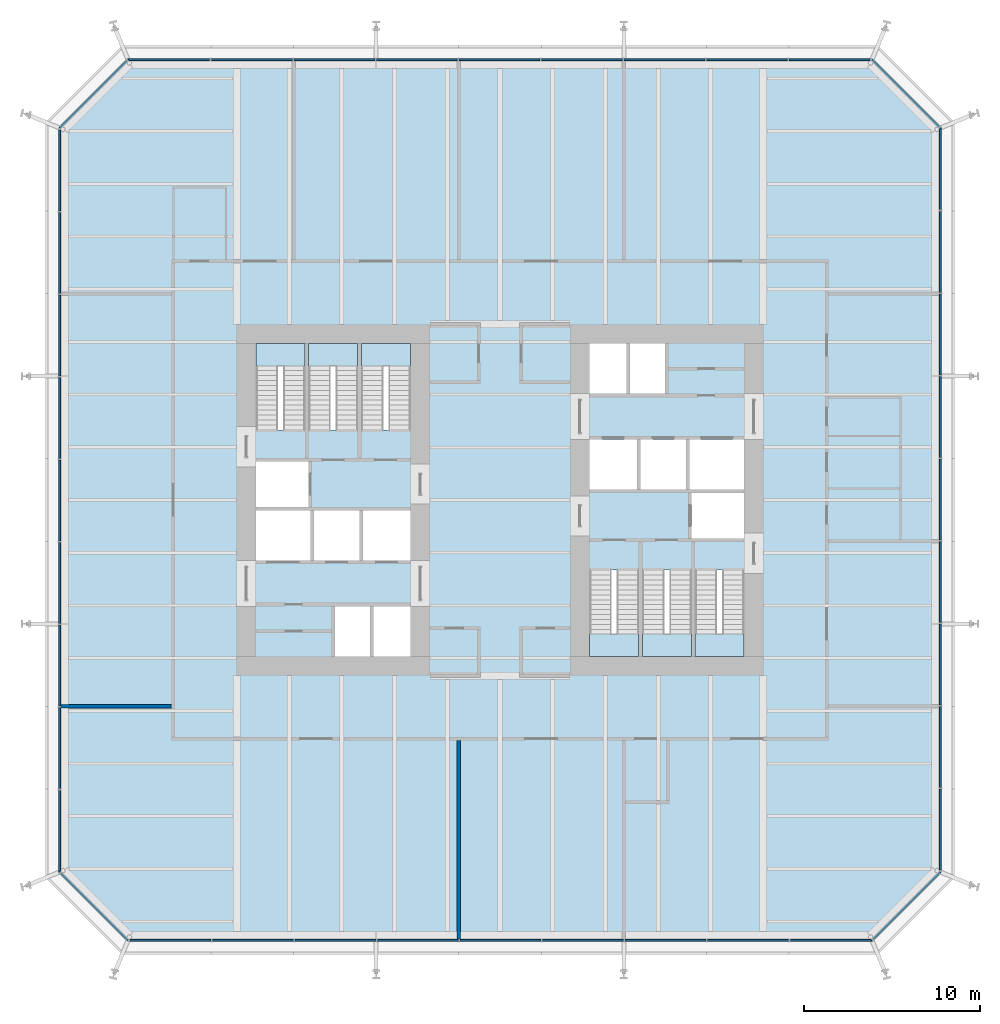
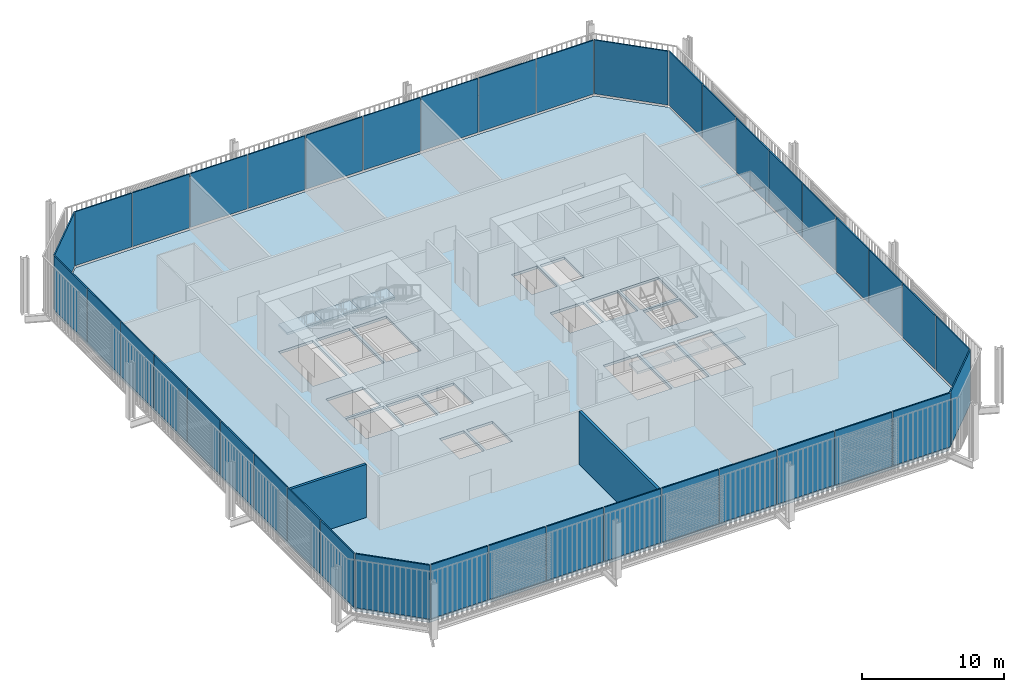
# One storey, part 17 of 22: 40 plates, 7 slabs, 2 walls, 14 elements without a shape of their own.
"""IFC4 building model written with IfcOpenShell, lengths in metres."""

from ifc_helpers import new_model, si_unit, direction, frame, frame_2d, origin, place, context, subcontext, project, spatial, polyline, rectangle, outline, extrude, material, layer, layer_set, type_object, element, aggregate, save


model = new_model("IFC4")

# Units and contexts
model_context = context("Model", 3, precision=1e-05, world=origin(), true_north=direction((0.0, 1.0)))
body_context = subcontext(model_context, "Body", "Model", "MODEL_VIEW")
ifc_project = project(units=[si_unit("LENGTHUNIT", "METRE"), si_unit("AREAUNIT", "SQUARE_METRE"), si_unit("VOLUMEUNIT", "CUBIC_METRE"), si_unit("PLANEANGLEUNIT", "RADIAN"), si_unit("MASSUNIT", "GRAM", prefix="KILO")], contexts=[model_context])

# Site, building, storey
site_placement = place(None, origin())
site = spatial("IfcSite", under=ifc_project, at=site_placement, CompositionType="ELEMENT")
building_placement = place(site_placement, origin())
building = spatial("IfcBuilding", under=site, at=building_placement, Name="Millrace Tower", CompositionType="ELEMENT")
storey_placement = place(building_placement, frame((0.0, 0.0, 40.10009765625)))
storey = spatial("IfcBuildingStorey", under=building, at=storey_placement, Name="L09", CompositionType="ELEMENT", Elevation=40.10009765625)

# Curtain wall, plate
ifc_material_1 = material(Name="Aluminium and glass", Category="aluminium")
ifc_layer_1 = layer(ifc_material_1, 0.14990234375)
ifc_layer_set_1 = layer_set([ifc_layer_1], Name="Aluminium and glass")
curtain_wall_type = type_object("IfcCurtainWallType", Name="CW-2 data hall insulated curtain wall", PredefinedType="NOTDEFINED", material=ifc_layer_set_1)
placement_1 = place(storey_placement, origin())
curtain_wall_1 = element("IfcCurtainWall", 1, at=placement_1, inside=storey, type_object=curtain_wall_type, Name="Curtain wall A-F01 L09", PredefinedType="NOTDEFINED")
ifc_material_2 = material(Name="Glass", Category="glass")
ifc_layer_2 = layer(ifc_material_2, 0.10009765625)
ifc_layer_set_2 = layer_set([ifc_layer_2], Name="Glass")
plate_type = type_object("IfcPlateType", Name="CW-2 data hall insulated curtain wall insulated cassette with vision slot", PredefinedType="CURTAIN_PANEL", material=ifc_layer_set_2)
placement_2 = place(storey_placement, frame((0.0, 0.0, 0.159912109375)))
plate_1 = element("IfcPlate", 2, at=placement_2, type_object=plate_type, Name="CW2 panel A-F01.1", PredefinedType="CURTAIN_PANEL", context=body_context, shape_type="SweptSolid", body=[
    extrude(outline(polyline([(-25.04248046875, -21.284423828125), (-21.20166015625, -25.125), (-21.160400390625, -25.02490234375), (-24.9716796875, -21.213623046875), (-25.04248046875, -21.284423828125)])), origin(), (0.0, 0.0, 1.0), 4.639892578125),
])
aggregate(curtain_wall_1, [plate_1])

# Curtain wall, plates
curtain_wall_2 = element("IfcCurtainWall", 3, at=placement_1, inside=storey, type_object=curtain_wall_type, Name="Curtain wall A-F02 L09", PredefinedType="NOTDEFINED")
plate_2 = element("IfcPlate", 4, at=placement_2, type_object=plate_type, Name="CW2 panel A-F02.1", PredefinedType="CURTAIN_PANEL", context=body_context, shape_type="SweptSolid", body=[
    extrude(outline(polyline([(-21.0849609375, -25.125), (-16.449951171875, -25.125), (-16.449951171875, -25.02490234375), (-21.0849609375, -25.02490234375), (-21.0849609375, -25.125)])), origin(), (0.0, 0.0, 1.0), 4.639892578125),
])
plate_3 = element("IfcPlate", 5, at=placement_2, type_object=plate_type, Name="CW2 panel A-F02.2", PredefinedType="CURTAIN_PANEL", context=body_context, shape_type="SweptSolid", body=[
    extrude(outline(polyline([(-16.385009765625, -25.125), (-11.75, -25.125), (-11.75, -25.02490234375), (-16.385009765625, -25.02490234375), (-16.385009765625, -25.125)])), origin(), (0.0, 0.0, 1.0), 4.639892578125),
])
plate_4 = element("IfcPlate", 6, at=placement_2, type_object=plate_type, Name="CW2 panel A-F02.3", PredefinedType="CURTAIN_PANEL", context=body_context, shape_type="SweptSolid", body=[
    extrude(outline(polyline([(-11.68505859375, -25.125), (-7.050048828125, -25.125), (-7.050048828125, -25.02490234375), (-11.68505859375, -25.02490234375), (-11.68505859375, -25.125)])), origin(), (0.0, 0.0, 1.0), 4.639892578125),
])
plate_5 = element("IfcPlate", 7, at=placement_2, type_object=plate_type, Name="CW2 panel A-F02.4", PredefinedType="CURTAIN_PANEL", context=body_context, shape_type="SweptSolid", body=[
    extrude(outline(polyline([(-6.985107421875, -25.125), (-2.35009765625, -25.125), (-2.35009765625, -25.02490234375), (-6.985107421875, -25.02490234375), (-6.985107421875, -25.125)])), origin(), (0.0, 0.0, 1.0), 4.639892578125),
])
plate_6 = element("IfcPlate", 8, at=placement_2, type_object=plate_type, Name="CW2 panel A-F02.5", PredefinedType="CURTAIN_PANEL", context=body_context, shape_type="SweptSolid", body=[
    extrude(outline(polyline([(-2.284912109375, -25.125), (2.35009765625, -25.125), (2.35009765625, -25.02490234375), (-2.284912109375, -25.02490234375), (-2.284912109375, -25.125)])), origin(), (0.0, 0.0, 1.0), 4.639892578125),
])
plate_7 = element("IfcPlate", 9, at=placement_2, type_object=plate_type, Name="CW2 panel A-F02.6", PredefinedType="CURTAIN_PANEL", context=body_context, shape_type="SweptSolid", body=[
    extrude(outline(polyline([(2.4150390625, -25.125), (7.050048828125, -25.125), (7.050048828125, -25.02490234375), (2.4150390625, -25.02490234375), (2.4150390625, -25.125)])), origin(), (0.0, 0.0, 1.0), 4.639892578125),
])
plate_8 = element("IfcPlate", 10, at=placement_2, type_object=plate_type, Name="CW2 panel A-F02.7", PredefinedType="CURTAIN_PANEL", context=body_context, shape_type="SweptSolid", body=[
    extrude(outline(polyline([(7.114990234375, -25.125), (11.75, -25.125), (11.75, -25.02490234375), (7.114990234375, -25.02490234375), (7.114990234375, -25.125)])), origin(), (0.0, 0.0, 1.0), 4.639892578125),
])
plate_9 = element("IfcPlate", 11, at=placement_2, type_object=plate_type, Name="CW2 panel A-F02.8", PredefinedType="CURTAIN_PANEL", context=body_context, shape_type="SweptSolid", body=[
    extrude(outline(polyline([(11.81494140625, -25.125), (16.449951171875, -25.125), (16.449951171875, -25.02490234375), (11.81494140625, -25.02490234375), (11.81494140625, -25.125)])), origin(), (0.0, 0.0, 1.0), 4.639892578125),
])
plate_10 = element("IfcPlate", 12, at=placement_2, type_object=plate_type, Name="CW2 panel A-F02.9", PredefinedType="CURTAIN_PANEL", context=body_context, shape_type="SweptSolid", body=[
    extrude(outline(polyline([(16.514892578125, -25.125), (21.20166015625, -25.125), (21.160400390625, -25.02490234375), (16.514892578125, -25.02490234375), (16.514892578125, -25.125)])), origin(), (0.0, 0.0, 1.0), 4.639892578125),
])
aggregate(curtain_wall_2, [plate_2, plate_3, plate_4, plate_5, plate_6, plate_7, plate_8, plate_9, plate_10])

# Curtain wall, plate
curtain_wall_3 = element("IfcCurtainWall", 13, at=placement_1, inside=storey, type_object=curtain_wall_type, Name="Curtain wall A-F03 L09", PredefinedType="NOTDEFINED")
plate_11 = element("IfcPlate", 14, at=placement_2, type_object=plate_type, Name="CW2 panel A-F03.1", PredefinedType="CURTAIN_PANEL", context=body_context, shape_type="SweptSolid", body=[
    extrude(outline(polyline([(21.284423828125, -25.04248046875), (25.125, -21.20166015625), (25.02490234375, -21.160400390625), (21.213623046875, -24.9716796875), (21.284423828125, -25.04248046875)])), origin(), (0.0, 0.0, 1.0), 4.639892578125),
])
aggregate(curtain_wall_3, [plate_11])

# Curtain wall, plates
curtain_wall_4 = element("IfcCurtainWall", 15, at=placement_1, inside=storey, type_object=curtain_wall_type, Name="Curtain wall A-F04 L09", PredefinedType="NOTDEFINED")
plate_12 = element("IfcPlate", 16, at=placement_2, type_object=plate_type, Name="CW2 panel A-F04.1", PredefinedType="CURTAIN_PANEL", context=body_context, shape_type="SweptSolid", body=[
    extrude(outline(polyline([(25.125, -21.0849609375), (25.125, -16.449951171875), (25.02490234375, -16.449951171875), (25.02490234375, -21.0849609375), (25.125, -21.0849609375)])), origin(), (0.0, 0.0, 1.0), 4.639892578125),
])
plate_13 = element("IfcPlate", 17, at=placement_2, type_object=plate_type, Name="CW2 panel A-F04.2", PredefinedType="CURTAIN_PANEL", context=body_context, shape_type="SweptSolid", body=[
    extrude(outline(polyline([(25.125, -16.385009765625), (25.125, -11.75), (25.02490234375, -11.75), (25.02490234375, -16.385009765625), (25.125, -16.385009765625)])), origin(), (0.0, 0.0, 1.0), 4.639892578125),
])
plate_14 = element("IfcPlate", 18, at=placement_2, type_object=plate_type, Name="CW2 panel A-F04.3", PredefinedType="CURTAIN_PANEL", context=body_context, shape_type="SweptSolid", body=[
    extrude(outline(polyline([(25.125, -11.68505859375), (25.125, -7.050048828125), (25.02490234375, -7.050048828125), (25.02490234375, -11.68505859375), (25.125, -11.68505859375)])), origin(), (0.0, 0.0, 1.0), 4.639892578125),
])
plate_15 = element("IfcPlate", 19, at=placement_2, type_object=plate_type, Name="CW2 panel A-F04.4", PredefinedType="CURTAIN_PANEL", context=body_context, shape_type="SweptSolid", body=[
    extrude(outline(polyline([(25.125, -6.985107421875), (25.125, -2.35009765625), (25.02490234375, -2.35009765625), (25.02490234375, -6.985107421875), (25.125, -6.985107421875)])), origin(), (0.0, 0.0, 1.0), 4.639892578125),
])
plate_16 = element("IfcPlate", 20, at=placement_2, type_object=plate_type, Name="CW2 panel A-F04.5", PredefinedType="CURTAIN_PANEL", context=body_context, shape_type="SweptSolid", body=[
    extrude(outline(polyline([(25.125, -2.284912109375), (25.125, 2.35009765625), (25.02490234375, 2.35009765625), (25.02490234375, -2.284912109375), (25.125, -2.284912109375)])), origin(), (0.0, 0.0, 1.0), 4.639892578125),
])
plate_17 = element("IfcPlate", 21, at=placement_2, type_object=plate_type, Name="CW2 panel A-F04.6", PredefinedType="CURTAIN_PANEL", context=body_context, shape_type="SweptSolid", body=[
    extrude(outline(polyline([(25.125, 2.4150390625), (25.125, 7.050048828125), (25.02490234375, 7.050048828125), (25.02490234375, 2.4150390625), (25.125, 2.4150390625)])), origin(), (0.0, 0.0, 1.0), 4.639892578125),
])
plate_18 = element("IfcPlate", 22, at=placement_2, type_object=plate_type, Name="CW2 panel A-F04.7", PredefinedType="CURTAIN_PANEL", context=body_context, shape_type="SweptSolid", body=[
    extrude(outline(polyline([(25.125, 7.114990234375), (25.125, 11.75), (25.02490234375, 11.75), (25.02490234375, 7.114990234375), (25.125, 7.114990234375)])), origin(), (0.0, 0.0, 1.0), 4.639892578125),
])
plate_19 = element("IfcPlate", 23, at=placement_2, type_object=plate_type, Name="CW2 panel A-F04.8", PredefinedType="CURTAIN_PANEL", context=body_context, shape_type="SweptSolid", body=[
    extrude(outline(polyline([(25.125, 11.81494140625), (25.125, 16.449951171875), (25.02490234375, 16.449951171875), (25.02490234375, 11.81494140625), (25.125, 11.81494140625)])), origin(), (0.0, 0.0, 1.0), 4.639892578125),
])
plate_20 = element("IfcPlate", 24, at=placement_2, type_object=plate_type, Name="CW2 panel A-F04.9", PredefinedType="CURTAIN_PANEL", context=body_context, shape_type="SweptSolid", body=[
    extrude(outline(polyline([(25.125, 16.514892578125), (25.125, 21.20166015625), (25.02490234375, 21.160400390625), (25.02490234375, 16.514892578125), (25.125, 16.514892578125)])), origin(), (0.0, 0.0, 1.0), 4.639892578125),
])
aggregate(curtain_wall_4, [plate_12, plate_13, plate_14, plate_15, plate_16, plate_17, plate_18, plate_19, plate_20])

# Curtain wall, plate
curtain_wall_5 = element("IfcCurtainWall", 25, at=placement_1, inside=storey, type_object=curtain_wall_type, Name="Curtain wall A-F05 L09", PredefinedType="NOTDEFINED")
plate_21 = element("IfcPlate", 26, at=placement_2, type_object=plate_type, Name="CW2 panel A-F05.1", PredefinedType="CURTAIN_PANEL", context=body_context, shape_type="SweptSolid", body=[
    extrude(outline(polyline([(25.04248046875, 21.284423828125), (21.20166015625, 25.125), (21.160400390625, 25.02490234375), (24.9716796875, 21.213623046875), (25.04248046875, 21.284423828125)])), origin(), (0.0, 0.0, 1.0), 4.639892578125),
])
aggregate(curtain_wall_5, [plate_21])

# Curtain wall, plates
curtain_wall_6 = element("IfcCurtainWall", 27, at=placement_1, inside=storey, type_object=curtain_wall_type, Name="Curtain wall A-F06 L09", PredefinedType="NOTDEFINED")
plate_22 = element("IfcPlate", 28, at=placement_2, type_object=plate_type, Name="CW2 panel A-F06.1", PredefinedType="CURTAIN_PANEL", context=body_context, shape_type="SweptSolid", body=[
    extrude(outline(polyline([(21.0849609375, 25.125), (16.449951171875, 25.125), (16.449951171875, 25.02490234375), (21.0849609375, 25.02490234375), (21.0849609375, 25.125)])), origin(), (0.0, 0.0, 1.0), 4.639892578125),
])
plate_23 = element("IfcPlate", 29, at=placement_2, type_object=plate_type, Name="CW2 panel A-F06.2", PredefinedType="CURTAIN_PANEL", context=body_context, shape_type="SweptSolid", body=[
    extrude(outline(polyline([(16.385009765625, 25.125), (11.75, 25.125), (11.75, 25.02490234375), (16.385009765625, 25.02490234375), (16.385009765625, 25.125)])), origin(), (0.0, 0.0, 1.0), 4.639892578125),
])
plate_24 = element("IfcPlate", 30, at=placement_2, type_object=plate_type, Name="CW2 panel A-F06.3", PredefinedType="CURTAIN_PANEL", context=body_context, shape_type="SweptSolid", body=[
    extrude(outline(polyline([(11.68505859375, 25.125), (7.050048828125, 25.125), (7.050048828125, 25.02490234375), (11.68505859375, 25.02490234375), (11.68505859375, 25.125)])), origin(), (0.0, 0.0, 1.0), 4.639892578125),
])
plate_25 = element("IfcPlate", 31, at=placement_2, type_object=plate_type, Name="CW2 panel A-F06.4", PredefinedType="CURTAIN_PANEL", context=body_context, shape_type="SweptSolid", body=[
    extrude(outline(polyline([(6.985107421875, 25.125), (2.35009765625, 25.125), (2.35009765625, 25.02490234375), (6.985107421875, 25.02490234375), (6.985107421875, 25.125)])), origin(), (0.0, 0.0, 1.0), 4.639892578125),
])
plate_26 = element("IfcPlate", 32, at=placement_2, type_object=plate_type, Name="CW2 panel A-F06.5", PredefinedType="CURTAIN_PANEL", context=body_context, shape_type="SweptSolid", body=[
    extrude(outline(polyline([(2.284912109375, 25.125), (-2.35009765625, 25.125), (-2.35009765625, 25.02490234375), (2.284912109375, 25.02490234375), (2.284912109375, 25.125)])), origin(), (0.0, 0.0, 1.0), 4.639892578125),
])
plate_27 = element("IfcPlate", 33, at=placement_2, type_object=plate_type, Name="CW2 panel A-F06.6", PredefinedType="CURTAIN_PANEL", context=body_context, shape_type="SweptSolid", body=[
    extrude(outline(polyline([(-2.4150390625, 25.125), (-7.050048828125, 25.125), (-7.050048828125, 25.02490234375), (-2.4150390625, 25.02490234375), (-2.4150390625, 25.125)])), origin(), (0.0, 0.0, 1.0), 4.639892578125),
])
plate_28 = element("IfcPlate", 34, at=placement_2, type_object=plate_type, Name="CW2 panel A-F06.7", PredefinedType="CURTAIN_PANEL", context=body_context, shape_type="SweptSolid", body=[
    extrude(outline(polyline([(-7.114990234375, 25.125), (-11.75, 25.125), (-11.75, 25.02490234375), (-7.114990234375, 25.02490234375), (-7.114990234375, 25.125)])), origin(), (0.0, 0.0, 1.0), 4.639892578125),
])
plate_29 = element("IfcPlate", 35, at=placement_2, type_object=plate_type, Name="CW2 panel A-F06.8", PredefinedType="CURTAIN_PANEL", context=body_context, shape_type="SweptSolid", body=[
    extrude(outline(polyline([(-11.81494140625, 25.125), (-16.449951171875, 25.125), (-16.449951171875, 25.02490234375), (-11.81494140625, 25.02490234375), (-11.81494140625, 25.125)])), origin(), (0.0, 0.0, 1.0), 4.639892578125),
])
plate_30 = element("IfcPlate", 36, at=placement_2, type_object=plate_type, Name="CW2 panel A-F06.9", PredefinedType="CURTAIN_PANEL", context=body_context, shape_type="SweptSolid", body=[
    extrude(outline(polyline([(-16.514892578125, 25.125), (-21.20166015625, 25.125), (-21.160400390625, 25.02490234375), (-16.514892578125, 25.02490234375), (-16.514892578125, 25.125)])), origin(), (0.0, 0.0, 1.0), 4.639892578125),
])
aggregate(curtain_wall_6, [plate_22, plate_23, plate_24, plate_25, plate_26, plate_27, plate_28, plate_29, plate_30])

# Curtain wall, plate
curtain_wall_7 = element("IfcCurtainWall", 37, at=placement_1, inside=storey, type_object=curtain_wall_type, Name="Curtain wall A-F07 L09", PredefinedType="NOTDEFINED")
plate_31 = element("IfcPlate", 38, at=placement_2, type_object=plate_type, Name="CW2 panel A-F07.1", PredefinedType="CURTAIN_PANEL", context=body_context, shape_type="SweptSolid", body=[
    extrude(outline(polyline([(-21.284423828125, 25.04248046875), (-25.125, 21.20166015625), (-25.02490234375, 21.160400390625), (-21.213623046875, 24.9716796875), (-21.284423828125, 25.04248046875)])), origin(), (0.0, 0.0, 1.0), 4.639892578125),
])
aggregate(curtain_wall_7, [plate_31])

# Curtain wall, plates
curtain_wall_8 = element("IfcCurtainWall", 39, at=placement_1, inside=storey, type_object=curtain_wall_type, Name="Curtain wall A-F08 L09", PredefinedType="NOTDEFINED")
plate_32 = element("IfcPlate", 40, at=placement_2, type_object=plate_type, Name="CW2 panel A-F08.1", PredefinedType="CURTAIN_PANEL", context=body_context, shape_type="SweptSolid", body=[
    extrude(outline(polyline([(-25.125, 21.0849609375), (-25.125, 16.449951171875), (-25.02490234375, 16.449951171875), (-25.02490234375, 21.0849609375), (-25.125, 21.0849609375)])), origin(), (0.0, 0.0, 1.0), 4.639892578125),
])
plate_33 = element("IfcPlate", 41, at=placement_2, type_object=plate_type, Name="CW2 panel A-F08.2", PredefinedType="CURTAIN_PANEL", context=body_context, shape_type="SweptSolid", body=[
    extrude(outline(polyline([(-25.125, 16.385009765625), (-25.125, 11.75), (-25.02490234375, 11.75), (-25.02490234375, 16.385009765625), (-25.125, 16.385009765625)])), origin(), (0.0, 0.0, 1.0), 4.639892578125),
])
plate_34 = element("IfcPlate", 42, at=placement_2, type_object=plate_type, Name="CW2 panel A-F08.3", PredefinedType="CURTAIN_PANEL", context=body_context, shape_type="SweptSolid", body=[
    extrude(outline(polyline([(-25.125, 11.68505859375), (-25.125, 7.050048828125), (-25.02490234375, 7.050048828125), (-25.02490234375, 11.68505859375), (-25.125, 11.68505859375)])), origin(), (0.0, 0.0, 1.0), 4.639892578125),
])
plate_35 = element("IfcPlate", 43, at=placement_2, type_object=plate_type, Name="CW2 panel A-F08.4", PredefinedType="CURTAIN_PANEL", context=body_context, shape_type="SweptSolid", body=[
    extrude(outline(polyline([(-25.125, 6.985107421875), (-25.125, 2.35009765625), (-25.02490234375, 2.35009765625), (-25.02490234375, 6.985107421875), (-25.125, 6.985107421875)])), origin(), (0.0, 0.0, 1.0), 4.639892578125),
])
plate_36 = element("IfcPlate", 44, at=placement_2, type_object=plate_type, Name="CW2 panel A-F08.5", PredefinedType="CURTAIN_PANEL", context=body_context, shape_type="SweptSolid", body=[
    extrude(outline(polyline([(-25.125, 2.284912109375), (-25.125, -2.35009765625), (-25.02490234375, -2.35009765625), (-25.02490234375, 2.284912109375), (-25.125, 2.284912109375)])), origin(), (0.0, 0.0, 1.0), 4.639892578125),
])
plate_37 = element("IfcPlate", 45, at=placement_2, type_object=plate_type, Name="CW2 panel A-F08.6", PredefinedType="CURTAIN_PANEL", context=body_context, shape_type="SweptSolid", body=[
    extrude(outline(polyline([(-25.125, -2.4150390625), (-25.125, -7.050048828125), (-25.02490234375, -7.050048828125), (-25.02490234375, -2.4150390625), (-25.125, -2.4150390625)])), origin(), (0.0, 0.0, 1.0), 4.639892578125),
])
plate_38 = element("IfcPlate", 46, at=placement_2, type_object=plate_type, Name="CW2 panel A-F08.7", PredefinedType="CURTAIN_PANEL", context=body_context, shape_type="SweptSolid", body=[
    extrude(outline(polyline([(-25.125, -7.114990234375), (-25.125, -11.75), (-25.02490234375, -11.75), (-25.02490234375, -7.114990234375), (-25.125, -7.114990234375)])), origin(), (0.0, 0.0, 1.0), 4.639892578125),
])
plate_39 = element("IfcPlate", 47, at=placement_2, type_object=plate_type, Name="CW2 panel A-F08.8", PredefinedType="CURTAIN_PANEL", context=body_context, shape_type="SweptSolid", body=[
    extrude(outline(polyline([(-25.125, -11.81494140625), (-25.125, -16.449951171875), (-25.02490234375, -16.449951171875), (-25.02490234375, -11.81494140625), (-25.125, -11.81494140625)])), origin(), (0.0, 0.0, 1.0), 4.639892578125),
])
plate_40 = element("IfcPlate", 48, at=placement_2, type_object=plate_type, Name="CW2 panel A-F08.9", PredefinedType="CURTAIN_PANEL", context=body_context, shape_type="SweptSolid", body=[
    extrude(outline(polyline([(-25.125, -16.514892578125), (-25.125, -21.20166015625), (-25.02490234375, -21.160400390625), (-25.02490234375, -16.514892578125), (-25.125, -16.514892578125)])), origin(), (0.0, 0.0, 1.0), 4.639892578125),
])
aggregate(curtain_wall_8, [plate_32, plate_33, plate_34, plate_35, plate_36, plate_37, plate_38, plate_39, plate_40])

# Slab
ifc_material_3 = material(Name="Concrete C35 on steel deck", Category="concrete")
ifc_layer_3 = layer(ifc_material_3, 0.22509765625)
ifc_layer_set_3 = layer_set([ifc_layer_3], Name="Concrete C35 on steel deck")
slab_type_1 = type_object("IfcSlabType", Name="Composite floor slab 225 mm", PredefinedType="FLOOR", material=ifc_layer_set_3)
slab_1_placement = place(storey_placement, frame((0.0, 0.0, -0.22509765625)))
element("IfcSlab", 49, at=slab_1_placement, inside=storey, type_object=slab_type_1, Name="SL-A-L09-S1", PredefinedType="FLOOR", context=body_context, shape_type="SweptSolid", body=[
    extrude(outline(polyline([(-25.0, -21.14990234375), (-21.14990234375, -25.0), (21.14990234375, -25.0), (25.0, -21.14990234375), (25.0, 21.14990234375), (21.14990234375, 25.0), (-21.14990234375, 25.0), (-25.0, 21.14990234375), (-25.0, -21.14990234375)]), holes=[polyline([(-9.39990234375, -8.89990234375), (-7.39990234375, -8.89990234375), (-7.39990234375, -6.050048828125), (-9.39990234375, -6.050048828125), (-9.39990234375, -8.89990234375)]), polyline([(-7.199951171875, -8.89990234375), (-5.10009765625, -8.89990234375), (-5.10009765625, -6.050048828125), (-7.199951171875, -6.050048828125), (-7.199951171875, -8.89990234375)]), polyline([(-13.89990234375, -3.449951171875), (-10.800048828125, -3.449951171875), (-10.800048828125, -0.60009765625), (-13.89990234375, -0.60009765625), (-13.89990234375, -3.449951171875)]), polyline([(-10.60009765625, -3.449951171875), (-8.0, -3.449951171875), (-8.0, -0.60009765625), (-10.60009765625, -0.60009765625), (-10.60009765625, -3.449951171875)]), polyline([(-7.800048828125, -3.449951171875), (-5.10009765625, -3.449951171875), (-5.10009765625, -0.60009765625), (-7.800048828125, -0.60009765625), (-7.800048828125, -3.449951171875)]), polyline([(-13.89990234375, -0.39990234375), (-10.89990234375, -0.39990234375), (-10.89990234375, 2.179931640625), (-13.89990234375, 2.179931640625), (-13.89990234375, -0.39990234375)]), polyline([(-13.89990234375, 4.0), (-11.10009765625, 4.0), (-11.10009765625, 8.89990234375), (-13.89990234375, 8.89990234375), (-13.89990234375, 4.0)]), polyline([(-10.89990234375, 4.0), (-8.10009765625, 4.0), (-8.10009765625, 8.89990234375), (-10.89990234375, 8.89990234375), (-10.89990234375, 4.0)]), polyline([(-7.89990234375, 4.0), (-5.10009765625, 4.0), (-5.10009765625, 8.89990234375), (-7.89990234375, 8.89990234375), (-7.89990234375, 4.0)]), polyline([(7.39990234375, 6.050048828125), (9.39990234375, 6.050048828125), (9.39990234375, 8.89990234375), (7.39990234375, 8.89990234375), (7.39990234375, 6.050048828125)]), polyline([(5.10009765625, 6.050048828125), (7.199951171875, 6.050048828125), (7.199951171875, 8.89990234375), (5.10009765625, 8.89990234375), (5.10009765625, 6.050048828125)]), polyline([(10.800048828125, 0.60009765625), (13.89990234375, 0.60009765625), (13.89990234375, 3.449951171875), (10.800048828125, 3.449951171875), (10.800048828125, 0.60009765625)]), polyline([(8.0, 0.60009765625), (10.60009765625, 0.60009765625), (10.60009765625, 3.449951171875), (8.0, 3.449951171875), (8.0, 0.60009765625)]), polyline([(5.10009765625, 0.60009765625), (7.800048828125, 0.60009765625), (7.800048828125, 3.449951171875), (5.10009765625, 3.449951171875), (5.10009765625, 0.60009765625)]), polyline([(10.89990234375, -2.179931640625), (13.89990234375, -2.179931640625), (13.89990234375, 0.39990234375), (10.89990234375, 0.39990234375), (10.89990234375, -2.179931640625)]), polyline([(11.10009765625, -8.89990234375), (13.89990234375, -8.89990234375), (13.89990234375, -4.0), (11.10009765625, -4.0), (11.10009765625, -8.89990234375)]), polyline([(8.10009765625, -8.89990234375), (10.89990234375, -8.89990234375), (10.89990234375, -4.0), (8.10009765625, -4.0), (8.10009765625, -8.89990234375)]), polyline([(5.10009765625, -8.89990234375), (7.89990234375, -8.89990234375), (7.89990234375, -4.0), (5.10009765625, -4.0), (5.10009765625, -8.89990234375)])]), origin(), (0.0, 0.0, 1.0), 0.22509765625),
])

# Stair, slab
ifc_material_4 = material(Name="Concrete C35", Category="concrete")
stair_type = type_object("IfcStairType", Name="Exit stair", PredefinedType="HALF_TURN_STAIR", material=ifc_material_4)
stair_1 = element("IfcStair", 50, at=placement_1, inside=storey, type_object=stair_type, Name="Stair 1 W L09", PredefinedType="HALF_TURN_STAIR")
ifc_material_5 = material(Name="Concrete C40", Category="concrete")
ifc_layer_4 = layer(ifc_material_5, 0.199951171875)
ifc_layer_set_4 = layer_set([ifc_layer_4], Name="Concrete C40")
slab_type_2 = type_object("IfcSlabType", Name="Stair landing", PredefinedType="LANDING", material=ifc_layer_set_4)
placement_3 = place(storey_placement, frame((0.0, 0.0, 2.199951171875)))
slab_2 = element("IfcSlab", 51, at=placement_3, type_object=slab_type_2, Name="ST12 landing 1", PredefinedType="LANDING", context=body_context, shape_type="SweptSolid", body=[
    extrude(outline(polyline([(-13.89990234375, 7.639892578125), (-11.10009765625, 7.639892578125), (-11.10009765625, 8.89990234375), (-13.89990234375, 8.89990234375), (-13.89990234375, 7.639892578125)])), origin(), (0.0, 0.0, 1.0), 0.199951171875),
])
aggregate(stair_1, [slab_2])

stair_2 = element("IfcStair", 52, at=placement_1, inside=storey, type_object=stair_type, Name="Stair 2 W L09", PredefinedType="HALF_TURN_STAIR")
slab_3 = element("IfcSlab", 53, at=placement_3, type_object=slab_type_2, Name="ST12 landing 1", PredefinedType="LANDING", context=body_context, shape_type="SweptSolid", body=[
    extrude(outline(polyline([(-10.89990234375, 7.639892578125), (-8.10009765625, 7.639892578125), (-8.10009765625, 8.89990234375), (-10.89990234375, 8.89990234375), (-10.89990234375, 7.639892578125)])), origin(), (0.0, 0.0, 1.0), 0.199951171875),
])
aggregate(stair_2, [slab_3])

stair_3 = element("IfcStair", 54, at=placement_1, inside=storey, type_object=stair_type, Name="Stair 3 W L09", PredefinedType="HALF_TURN_STAIR")
slab_4 = element("IfcSlab", 55, at=placement_3, type_object=slab_type_2, Name="ST12 landing 1", PredefinedType="LANDING", context=body_context, shape_type="SweptSolid", body=[
    extrude(outline(polyline([(-7.89990234375, 7.639892578125), (-5.10009765625, 7.639892578125), (-5.10009765625, 8.89990234375), (-7.89990234375, 8.89990234375), (-7.89990234375, 7.639892578125)])), origin(), (0.0, 0.0, 1.0), 0.199951171875),
])
aggregate(stair_3, [slab_4])

stair_4 = element("IfcStair", 56, at=placement_1, inside=storey, type_object=stair_type, Name="Stair 1 E L09", PredefinedType="HALF_TURN_STAIR")
slab_5 = element("IfcSlab", 57, at=placement_3, type_object=slab_type_2, Name="ST12 landing 1", PredefinedType="LANDING", context=body_context, shape_type="SweptSolid", body=[
    extrude(outline(polyline([(11.10009765625, -8.89990234375), (13.89990234375, -8.89990234375), (13.89990234375, -7.639892578125), (11.10009765625, -7.639892578125), (11.10009765625, -8.89990234375)])), origin(), (0.0, 0.0, 1.0), 0.199951171875),
])
aggregate(stair_4, [slab_5])

stair_5 = element("IfcStair", 58, at=placement_1, inside=storey, type_object=stair_type, Name="Stair 2 E L09", PredefinedType="HALF_TURN_STAIR")
slab_6 = element("IfcSlab", 59, at=placement_3, type_object=slab_type_2, Name="ST12 landing 1", PredefinedType="LANDING", context=body_context, shape_type="SweptSolid", body=[
    extrude(outline(polyline([(8.10009765625, -8.89990234375), (10.89990234375, -8.89990234375), (10.89990234375, -7.639892578125), (8.10009765625, -7.639892578125), (8.10009765625, -8.89990234375)])), origin(), (0.0, 0.0, 1.0), 0.199951171875),
])
aggregate(stair_5, [slab_6])

stair_6 = element("IfcStair", 60, at=placement_1, inside=storey, type_object=stair_type, Name="Stair 3 E L09", PredefinedType="HALF_TURN_STAIR")
slab_7 = element("IfcSlab", 61, at=placement_3, type_object=slab_type_2, Name="ST12 landing 1", PredefinedType="LANDING", context=body_context, shape_type="SweptSolid", body=[
    extrude(outline(polyline([(5.10009765625, -8.89990234375), (7.89990234375, -8.89990234375), (7.89990234375, -7.639892578125), (5.10009765625, -7.639892578125), (5.10009765625, -8.89990234375)])), origin(), (0.0, 0.0, 1.0), 0.199951171875),
])
aggregate(stair_6, [slab_7])

# Walls
ifc_material_6 = material(Name="Masonry partition, fire-rated", Category="masonry")
ifc_layer_5 = layer(ifc_material_6, 0.199951171875)
ifc_layer_set_5 = layer_set([ifc_layer_5], Name="Masonry partition, fire-rated")
wall_type = type_object("IfcWallType", Name="Corridor wall 200", PredefinedType="PARTITIONING", material=ifc_layer_set_5)
wall_1_placement = place(storey_placement, frame((-25.030029296875, -11.75, 0.0), z_axis=(0.0, 0.0, 1.0), x_axis=(1.0, 0.0, 0.0)))
element("IfcWall", 62, at=wall_1_placement, inside=storey, type_object=wall_type, Name="Corridor wall L09", PredefinedType="PARTITIONING", context=body_context, shape_type="SweptSolid", body=[
    extrude(rectangle(XDim=6.330078125, YDim=0.199951171875, at=frame_2d((3.1650390625, 0.0))), origin(), (0.0, 0.0, 1.0), 4.574951171875),
])
wall_2_placement = place(storey_placement, frame((-2.35009765625, -25.030029296875, 0.0), z_axis=(0.0, 0.0, 1.0), x_axis=(0.0, 1.0, 0.0)))
element("IfcWall", 63, at=wall_2_placement, inside=storey, type_object=wall_type, Name="Corridor wall L09", PredefinedType="PARTITIONING", context=body_context, shape_type="SweptSolid", body=[
    extrude(rectangle(XDim=11.330078125, YDim=0.199951171875, at=frame_2d((5.6650390625, 0.0))), origin(), (0.0, 0.0, 1.0), 4.574951171875),
])

save(model, "model.ifc")
